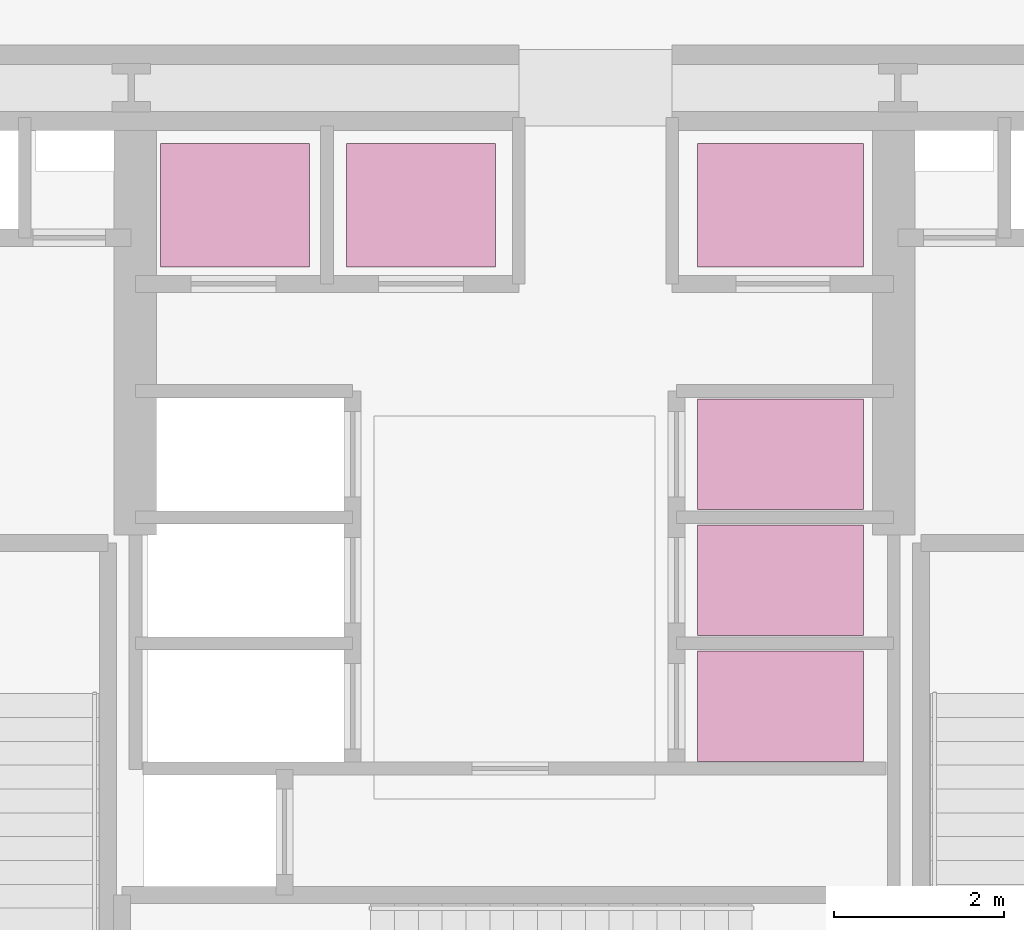
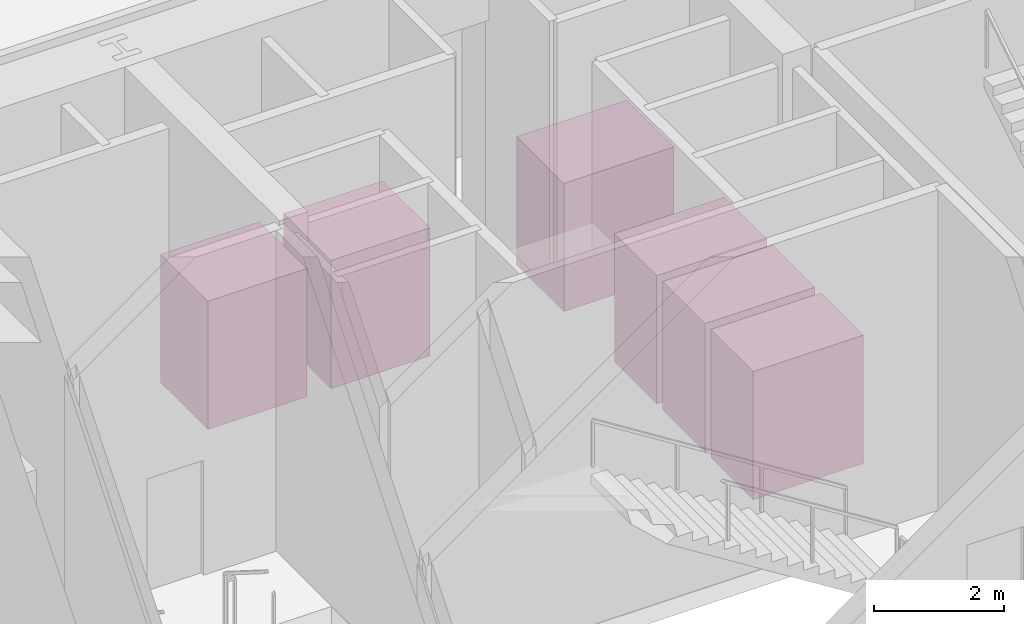
# One storey, part 35 of 35: 6 transport elements.
"""IFC4 building model written with IfcOpenShell, lengths in metres."""

import ifcopenshell
import ifcopenshell.guid

model = None  # the IFC model being written
_history = None  # IfcOwnerHistory: only IFC2X3 demands one
_inside = {}  # id of a spatial element -> (the spatial element, [elements in it])
_under = {}  # id of a project, library or spatial element -> (it, [spatial elements below it])
_declared = {}  # id of a project -> (the project, [libraries it declares])
_typed = {}  # id of a type object -> (the type object, [elements of that type])
_made_of = {}  # id of a material, layer set ... -> (it, [elements and type objects made of it])


def new_model(schema):
    """Start an empty IFC model of exactly this schema.

    Asked for "IFC4X3", IfcOpenShell would pick the latest addendum, in which some entities
    have other attributes; the version numbers below select the first issue.
    IFC2X3 requires an IfcOwnerHistory on every rooted entity: one is made here for all.
    """
    global model, _history
    if schema == "IFC4X3":
        model = ifcopenshell.file(schema_version=(4, 3, 0, 0))
    else:
        model = ifcopenshell.file(schema=schema)
    _inside.clear()
    _under.clear()
    _declared.clear()
    _typed.clear()
    _made_of.clear()
    _history = None
    if model.schema == "IFC2X3":
        org = make("IfcOrganization", Name="unknown")
        user = make(
            "IfcPersonAndOrganization",
            ThePerson=make("IfcPerson", FamilyName="unknown"),
            TheOrganization=org,
        )
        app = make(
            "IfcApplication",
            ApplicationDeveloper=org,
            Version="unknown",
            ApplicationFullName="unknown",
            ApplicationIdentifier="unknown",
        )
        _history = make(
            "IfcOwnerHistory",
            OwningUser=user,
            OwningApplication=app,
            ChangeAction="ADDED",
            CreationDate=0,
        )
    return model


def make(cls, **values):
    """One entity of the class cls with the attributes given. An attribute that is None is left unset."""
    return model.create_entity(
        cls, **{name: value for name, value in values.items() if value is not None}
    )


def rooted(cls, **values):
    """An entity with a GlobalId (a new one), such as an element, a storey or a relation."""
    return make(cls, GlobalId=ifcopenshell.guid.new(), OwnerHistory=_history, **values)


def si_unit(unit_type, name, prefix=None):
    """IfcSIUnit, for example si_unit("LENGTHUNIT", "METRE", prefix="MILLI")."""
    return make("IfcSIUnit", UnitType=unit_type, Prefix=prefix, Name=name)


def assignment(units):
    """IfcUnitAssignment: the units of a project."""
    return None if units is None else make("IfcUnitAssignment", Units=units)


def point(xyz):
    """IfcCartesianPoint."""
    return None if xyz is None else make("IfcCartesianPoint", Coordinates=xyz)


def direction(xyz):
    """IfcDirection."""
    return None if xyz is None else make("IfcDirection", DirectionRatios=xyz)


def frame(location, z_axis=None, x_axis=None):
    """IfcAxis2Placement3D, a coordinate frame: its origin and axes. An axis left out is left unset."""
    return make(
        "IfcAxis2Placement3D",
        Location=point(location),
        Axis=direction(z_axis),
        RefDirection=direction(x_axis),
    )


def frame_2d(location, x_axis=None):
    """IfcAxis2Placement2D, a coordinate frame in the plane: its origin and x axis."""
    return make(
        "IfcAxis2Placement2D", Location=point(location), RefDirection=direction(x_axis)
    )


def origin():
    """The frame at (0, 0, 0) with its axes left unset."""
    return frame((0.0, 0.0, 0.0))


def origin_2d():
    """The frame at (0, 0) in the plane with its x axis left unset."""
    return frame_2d((0.0, 0.0))


def place(relative_to, where):
    """IfcLocalPlacement: puts the frame where relative to a parent placement (None: the world)."""
    return make(
        "IfcLocalPlacement", PlacementRelTo=relative_to, RelativePlacement=where
    )


def context(
    kind, dimensions, precision=None, world=None, true_north=None, identifier=None
):
    """IfcGeometricRepresentationContext, for example the 3D "Model" context."""
    return make(
        "IfcGeometricRepresentationContext",
        ContextIdentifier=identifier,
        ContextType=kind,
        CoordinateSpaceDimension=dimensions,
        Precision=precision,
        WorldCoordinateSystem=world,
        TrueNorth=true_north,
    )


def subcontext(parent, identifier, kind, view, scale=None):
    """IfcGeometricRepresentationSubContext, for example "Body" below "Model"."""
    return make(
        "IfcGeometricRepresentationSubContext",
        ContextIdentifier=identifier,
        ContextType=kind,
        ParentContext=parent,
        TargetScale=scale,
        TargetView=view,
    )


def project(units=None, contexts=None):
    """IfcProject with its units and contexts."""
    return rooted(
        "IfcProject",
        Name="project",
        RepresentationContexts=contexts,
        UnitsInContext=assignment(units),
    )


def spatial(cls, under=None, at=None, **own):
    """A site, building, storey or space (cls), placed at a placement, below another one or the project."""
    s = rooted(cls, ObjectPlacement=at, **own)
    if under is not None:
        _under.setdefault(under.id(), (under, []))[1].append(s)
    return s


def profile(cls, at=None, kind="AREA", **sizes):
    """A parametric profile (cls). Its sizes go by their IFC names, for example OverallWidth=200.0."""
    return make(cls, ProfileType=kind, Position=at, **sizes)


def rectangle(**sizes):
    """IfcRectangleProfileDef."""
    return profile("IfcRectangleProfileDef", **sizes)


def extrude(swept, where, along, depth):
    """IfcExtrudedAreaSolid: the profile swept, set in the frame where, extruded along a direction by depth."""
    return make(
        "IfcExtrudedAreaSolid",
        SweptArea=swept,
        Position=where,
        ExtrudedDirection=direction(along),
        Depth=depth,
    )


def shape(context_of_items, identifier, shape_type, items):
    """IfcShapeRepresentation: the items that make up one representation, for example the "Body"."""
    return make(
        "IfcShapeRepresentation",
        ContextOfItems=context_of_items,
        RepresentationIdentifier=identifier,
        RepresentationType=shape_type,
        Items=items,
    )


def material(Name=None, Category=None):
    """IfcMaterial."""
    return make("IfcMaterial", Name=Name, Category=Category)


def made_of(thing, what):
    """Note that an element or type object is made of a material, layer set ...; save() writes the relation."""
    if what is not None:
        _made_of.setdefault(what.id(), (what, []))[1].append(thing)
    return thing


def type_object(cls, material=None, **own):
    """A type object (cls), such as IfcWallType, which elements share."""
    return made_of(rooted(cls, **own), material)


def element(
    cls,
    number,
    at=None,
    inside=None,
    cuts=None,
    type_object=None,
    material=None,
    context=None,
    identifier="Body",
    shape_type=None,
    held_by="IfcProductDefinitionShape",
    body=None,
    shapes=None,
    **own,
):
    """One element of the class cls, such as IfcWall. Its Tag is "e" and its number.

    at: its placement. inside: the storey or other place that contains it. cuts: it is an
    opening in that element (IfcRelVoidsElement). A single representation is given by context,
    identifier, shape_type and body (its items); several are given by shapes. held_by: the class
    of the entity that holds the representations. save() writes the other relations.
    """
    e = rooted(cls, Tag="e%d" % number, ObjectPlacement=at, **own)
    if body is not None:
        shapes = [shape(context, identifier, shape_type, body)]
    if shapes is not None:
        e.Representation = make(held_by, Representations=shapes)
    if inside is not None:
        _inside.setdefault(inside.id(), (inside, []))[1].append(e)
    if cuts is not None:
        rooted(
            "IfcRelVoidsElement", RelatingBuildingElement=cuts, RelatedOpeningElement=e
        )
    if type_object is not None:
        _typed.setdefault(type_object.id(), (type_object, []))[1].append(e)
    return made_of(e, material)


def aggregate(whole, parts):
    """IfcRelAggregates: a whole, such as a stair, and the parts it consists of."""
    return rooted("IfcRelAggregates", RelatingObject=whole, RelatedObjects=parts)


def save(model, path):
    """Write the relations noted so far, then the file.

    IfcRelAggregates (storeys below a building ...), IfcRelContainedInSpatialStructure (elements
    in a storey), IfcRelDefinesByType, IfcRelAssociatesMaterial and IfcRelDeclares: one each for
    every whole, place, type object, material and project.
    """
    for whole, parts in _under.values():
        aggregate(whole, parts)
    for where, things in _inside.values():
        rooted(
            "IfcRelContainedInSpatialStructure",
            RelatedElements=things,
            RelatingStructure=where,
        )
    for kind, things in _typed.values():
        rooted("IfcRelDefinesByType", RelatedObjects=things, RelatingType=kind)
    for what, things in _made_of.values():
        rooted("IfcRelAssociatesMaterial", RelatedObjects=things, RelatingMaterial=what)
    for by, libraries in _declared.values():
        rooted("IfcRelDeclares", RelatingContext=by, RelatedDefinitions=libraries)
    model.write(path)


model = new_model("IFC4")

# Units and contexts
model_context = context("Model", 3, precision=1e-05, world=origin(), true_north=direction((0.0, 1.0)))
body_context = subcontext(model_context, "Body", "Model", "MODEL_VIEW")
ifc_project = project(units=[si_unit("LENGTHUNIT", "METRE"), si_unit("AREAUNIT", "SQUARE_METRE"), si_unit("VOLUMEUNIT", "CUBIC_METRE"), si_unit("PLANEANGLEUNIT", "RADIAN"), si_unit("MASSUNIT", "GRAM", prefix="KILO")], contexts=[model_context])

# Site, building, storey
site_placement = place(None, origin())
site = spatial("IfcSite", under=ifc_project, at=site_placement, CompositionType="ELEMENT")
building_placement = place(site_placement, origin())
building = spatial("IfcBuilding", under=site, at=building_placement, Name="Kilnhurst Terrace Hotel", CompositionType="ELEMENT")
storey_placement = place(building_placement, origin())
storey = spatial("IfcBuildingStorey", under=building, at=storey_placement, Name="L00", CompositionType="ELEMENT", Elevation=0.0)

# Transport elements
ifc_material_1 = material(Name="Bronze Stainless Steel AISI 316L and Stone Passenger Cab", Category="masonry")
transport_element_type_1 = type_object("IfcTransportElementType", Name="LFT-PAX-1600KG", PredefinedType="ELEVATOR", material=ifc_material_1)
for number, where, z_axis, x_axis, name in (
    (1, (3.1201171875, 0.239990234375, 0.0), (0.0, 0.0, 1.0), (1.0, 0.0, 0.0), "Mid Rise Passenger Elevator MR-1"),
    (2, (3.1201171875, 1.719970703125, 0.0), (0.0, 0.0, 1.0), (1.0, 0.0, 0.0), "Mid Rise Passenger Elevator MR-2"),
    (3, (3.1201171875, 3.199951171875, 0.0), (0.0, 0.0, 1.0), (1.0, 0.0, 0.0), "Mid Rise Passenger Elevator MR-3"),
):
    element("IfcTransportElement", number, at=place(storey_placement, frame(where, z_axis=z_axis, x_axis=x_axis)), inside=storey, type_object=transport_element_type_1, Name=name, PredefinedType="ELEVATOR", context=body_context, shape_type="SweptSolid", body=[
        extrude(rectangle(XDim=1.949951171875, YDim=1.300048828125, at=origin_2d()), origin(), (0.0, 0.0, 1.0), 2.39990234375),
    ])
transport_element_1_placement = place(storey_placement, frame((-3.280029296875, 6.1201171875, 0.0), z_axis=(0.0, 0.0, 1.0), x_axis=(1.0, 0.0, 0.0)))
element("IfcTransportElement", 4, at=transport_element_1_placement, inside=storey, type_object=transport_element_type_1, Name="High Rise Passenger Elevator HR-1", PredefinedType="ELEVATOR", context=body_context, shape_type="SweptSolid", body=[
    extrude(rectangle(XDim=1.75, YDim=1.449951171875, at=origin_2d()), origin(), (0.0, 0.0, 1.0), 2.39990234375),
])
transport_element_2_placement = place(storey_placement, frame((3.1201171875, 6.1201171875, 0.0), z_axis=(0.0, 0.0, 1.0), x_axis=(1.0, 0.0, 0.0)))
element("IfcTransportElement", 5, at=transport_element_2_placement, inside=storey, type_object=transport_element_type_1, Name="High Rise Passenger Elevator HR-2", PredefinedType="ELEVATOR", context=body_context, shape_type="SweptSolid", body=[
    extrude(rectangle(XDim=1.949951171875, YDim=1.449951171875, at=origin_2d()), origin(), (0.0, 0.0, 1.0), 2.39990234375),
])
ifc_material_2 = material(Name="Bronze Stainless Steel AISI 316L and Glass Shuttle Cab", Category="steel")
transport_element_type_2 = type_object("IfcTransportElementType", Name="LFT-SHUT-1400KG", PredefinedType="ELEVATOR", material=ifc_material_2)
transport_element_3_placement = place(storey_placement, frame((-1.10009765625, 6.1201171875, 0.0), z_axis=(0.0, 0.0, 1.0), x_axis=(1.0, 0.0, 0.0)))
element("IfcTransportElement", 6, at=transport_element_3_placement, inside=storey, type_object=transport_element_type_2, Name="High Rise Shuttle Elevator HR-3", PredefinedType="ELEVATOR", context=body_context, shape_type="SweptSolid", body=[
    extrude(rectangle(XDim=1.75, YDim=1.449951171875, at=origin_2d()), origin(), (0.0, 0.0, 1.0), 2.39990234375),
])

save(model, "model.ifc")
